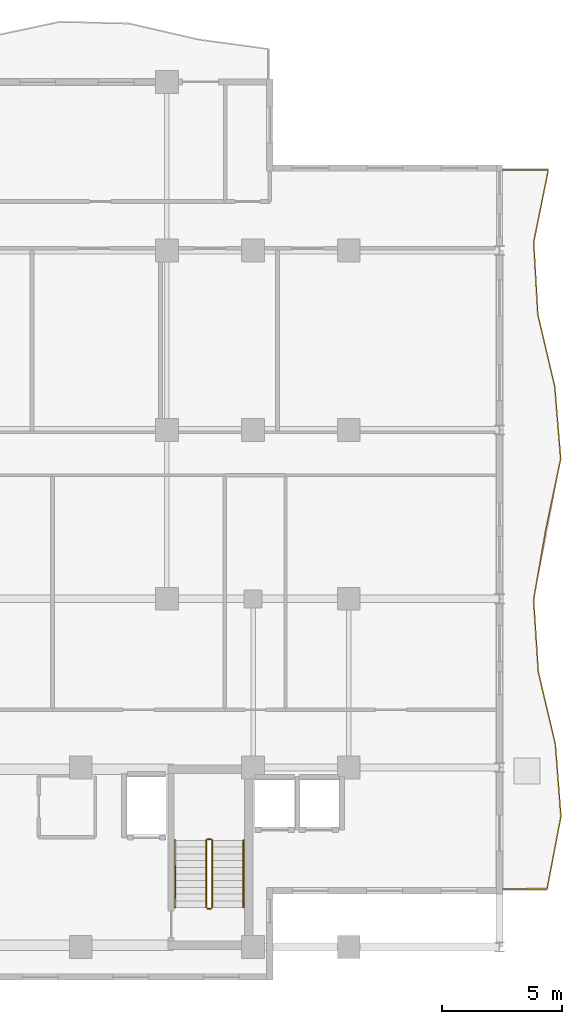
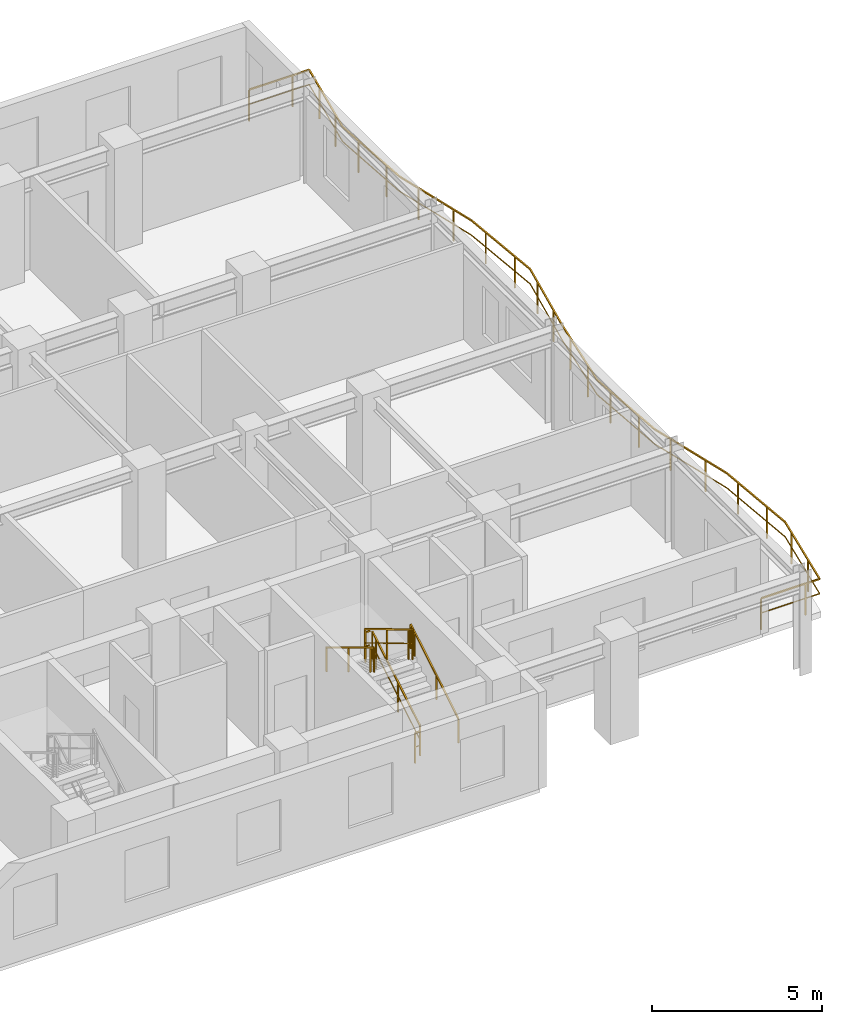
# One storey, part 12 of 13: 7 railings.
"""IFC4 building model written with IfcOpenShell, lengths in metres."""

from ifc_helpers import new_model, si_unit, direction, frame, origin, origin_2d, place, context, subcontext, project, spatial, rectangle, extrude, material, type_object, element, save


model = new_model("IFC4")

# Units and contexts
model_context = context("Model", 3, precision=1e-05, world=origin(), true_north=direction((0.0, 1.0)))
body_context = subcontext(model_context, "Body", "Model", "MODEL_VIEW")
ifc_project = project(units=[si_unit("LENGTHUNIT", "METRE"), si_unit("AREAUNIT", "SQUARE_METRE"), si_unit("VOLUMEUNIT", "CUBIC_METRE"), si_unit("PLANEANGLEUNIT", "RADIAN"), si_unit("MASSUNIT", "GRAM", prefix="KILO")], contexts=[model_context])

# Site, building, storey
site_placement = place(None, origin())
site = spatial("IfcSite", under=ifc_project, at=site_placement, CompositionType="ELEMENT")
building_placement = place(site_placement, origin())
building = spatial("IfcBuilding", under=site, at=building_placement, Name="Kaliganga Portal Commons", CompositionType="ELEMENT")
storey_placement = place(building_placement, frame((0.0, 0.0, 224.0)))
storey = spatial("IfcBuildingStorey", under=building, at=storey_placement, Name="L57", CompositionType="ELEMENT", Elevation=224.0)

# Railings
ifc_material_1 = material(Name="Laminated Safety Glass and Stainless Steel 316", Category="steel")
railing_type_1 = type_object("IfcRailingType", Name="RLG-BAL-1150", PredefinedType="BALUSTRADE", material=ifc_material_1)
railing_1_placement = place(storey_placement, frame((60.708984375, 9.4794921875, 0.0)))
element("IfcRailing", 1, at=railing_1_placement, inside=storey, type_object=railing_type_1, Name="Balcony Guardrail L57 balc_east", PredefinedType="BALUSTRADE", context=body_context, shape_type="SweptSolid", body=[
    extrude(rectangle(XDim=0.048095703125, YDim=0.048095703125, at=origin_2d()), frame((0.0, 0.0, 1.1259765625), z_axis=(0.999999969607, 0.000246548316, 0.0), x_axis=(-0.000246548316, 0.999999969607, 0.0)), (0.0, 0.0, 1.0), 1.98046875),
    extrude(rectangle(XDim=0.028076171875, YDim=0.028076171875, at=origin_2d()), frame((0.0, 0.0, 0.597900390625), z_axis=(0.999999969607, 0.000246548316, 0.0), x_axis=(-0.000246548316, 0.999999969607, 0.0)), (0.0, 0.0, 1.0), 1.98046875),
    extrude(rectangle(XDim=0.048095703125, YDim=0.048095703125, at=origin_2d()), frame((1.98046875, 0.00048828125, 1.1259765625), z_axis=(0.187495259421, 0.98226550774, 0.0), x_axis=(-0.98226550774, 0.187495259421, 0.0)), (0.0, 0.0, 1.0), 3.07421875),
    extrude(rectangle(XDim=0.028076171875, YDim=0.028076171875, at=origin_2d()), frame((1.98046875, 0.00048828125, 0.597900390625), z_axis=(0.187495259421, 0.98226550774, 0.0), x_axis=(-0.98226550774, 0.187495259421, 0.0)), (0.0, 0.0, 1.0), 3.07421875),
    extrude(rectangle(XDim=0.048095703125, YDim=0.048095703125, at=origin_2d()), frame((2.556884765625, 3.020263671875, 1.1259765625), z_axis=(-0.076252687559, 0.997088525478, 0.0), x_axis=(-0.997088525478, -0.076252687559, 0.0)), (0.0, 0.0, 1.0), 3.02880859375),
    extrude(rectangle(XDim=0.028076171875, YDim=0.028076171875, at=origin_2d()), frame((2.556884765625, 3.020263671875, 0.597900390625), z_axis=(-0.076252687559, 0.997088525478, 0.0), x_axis=(-0.997088525478, -0.076252687559, 0.0)), (0.0, 0.0, 1.0), 3.02880859375),
    extrude(rectangle(XDim=0.048095703125, YDim=0.048095703125, at=origin_2d()), frame((2.325927734375, 6.040283203125, 1.1259765625), z_axis=(-0.229797858528, 0.973238379954, 0.0), x_axis=(-0.973238379954, -0.229797858528, 0.0)), (0.0, 0.0, 1.0), 3.103271484375),
    extrude(rectangle(XDim=0.028076171875, YDim=0.028076171875, at=origin_2d()), frame((2.325927734375, 6.040283203125, 0.597900390625), z_axis=(-0.229797858528, 0.973238379954, 0.0), x_axis=(-0.973238379954, -0.229797858528, 0.0)), (0.0, 0.0, 1.0), 3.103271484375),
    extrude(rectangle(XDim=0.048095703125, YDim=0.048095703125, at=origin_2d()), frame((1.61279296875, 9.060546875, 1.1259765625), z_axis=(-0.064864326147, 0.997894092173, 0.0), x_axis=(-0.997894092173, -0.064864326147, 0.0)), (0.0, 0.0, 1.0), 3.026123046875),
    extrude(rectangle(XDim=0.028076171875, YDim=0.028076171875, at=origin_2d()), frame((1.61279296875, 9.060546875, 0.597900390625), z_axis=(-0.064864326147, 0.997894092173, 0.0), x_axis=(-0.997894092173, -0.064864326147, 0.0)), (0.0, 0.0, 1.0), 3.026123046875),
    extrude(rectangle(XDim=0.048095703125, YDim=0.048095703125, at=origin_2d()), frame((1.41650390625, 12.080322265625, 1.1259765625), z_axis=(0.171227240771, 0.985231562638, 0.0), x_axis=(-0.985231562638, 0.171227240771, 0.0)), (0.0, 0.0, 1.0), 2.984375),
    extrude(rectangle(XDim=0.028076171875, YDim=0.028076171875, at=origin_2d()), frame((1.41650390625, 12.080322265625, 0.597900390625), z_axis=(0.171227240771, 0.985231562638, 0.0), x_axis=(-0.985231562638, 0.171227240771, 0.0)), (0.0, 0.0, 1.0), 2.984375),
    extrude(rectangle(XDim=0.048095703125, YDim=0.048095703125, at=origin_2d()), frame((1.927490234375, 15.0205078125, 1.1259765625), z_axis=(0.206002299735, 0.978551507333, 0.0), x_axis=(-0.978551507333, 0.206002299735, 0.0)), (0.0, 0.0, 1.0), 3.0078125),
    extrude(rectangle(XDim=0.028076171875, YDim=0.028076171875, at=origin_2d()), frame((1.927490234375, 15.0205078125, 0.597900390625), z_axis=(0.206002299735, 0.978551507333, 0.0), x_axis=(-0.978551507333, 0.206002299735, 0.0)), (0.0, 0.0, 1.0), 3.0078125),
    extrude(rectangle(XDim=0.048095703125, YDim=0.048095703125, at=origin_2d()), frame((2.547119140625, 17.9638671875, 1.1259765625), z_axis=(-0.080895995771, 0.996722548089, 0.0), x_axis=(-0.996722548089, -0.080895995771, 0.0)), (0.0, 0.0, 1.0), 3.027099609375),
    extrude(rectangle(XDim=0.028076171875, YDim=0.028076171875, at=origin_2d()), frame((2.547119140625, 17.9638671875, 0.597900390625), z_axis=(-0.080895995771, 0.996722548089, 0.0), x_axis=(-0.996722548089, -0.080895995771, 0.0)), (0.0, 0.0, 1.0), 3.027099609375),
    extrude(rectangle(XDim=0.048095703125, YDim=0.048095703125, at=origin_2d()), frame((2.30224609375, 20.98095703125, 1.1259765625), z_axis=(-0.228806813317, 0.973471849711, 0.0), x_axis=(-0.973471849711, -0.228806813317, 0.0)), (0.0, 0.0, 1.0), 3.101806640625),
    extrude(rectangle(XDim=0.028076171875, YDim=0.028076171875, at=origin_2d()), frame((2.30224609375, 20.98095703125, 0.597900390625), z_axis=(-0.228806813317, 0.973471849711, 0.0), x_axis=(-0.973471849711, -0.228806813317, 0.0)), (0.0, 0.0, 1.0), 3.101806640625),
    extrude(rectangle(XDim=0.048095703125, YDim=0.048095703125, at=origin_2d()), frame((1.592529296875, 24.00048828125, 1.1259765625), z_axis=(-0.056900388168, 0.998379860487, 0.0), x_axis=(-0.998379860487, -0.056900388168, 0.0)), (0.0, 0.0, 1.0), 3.02490234375),
    extrude(rectangle(XDim=0.028076171875, YDim=0.028076171875, at=origin_2d()), frame((1.592529296875, 24.00048828125, 0.597900390625), z_axis=(-0.056900388168, 0.998379860487, 0.0), x_axis=(-0.998379860487, -0.056900388168, 0.0)), (0.0, 0.0, 1.0), 3.02490234375),
    extrude(rectangle(XDim=0.048095703125, YDim=0.048095703125, at=origin_2d()), frame((1.42041015625, 27.0205078125, 1.1259765625), z_axis=(0.198172829343, 0.98016709275, 0.0), x_axis=(-0.98016709275, 0.198172829343, 0.0)), (0.0, 0.0, 1.0), 3.0810546875),
    extrude(rectangle(XDim=0.028076171875, YDim=0.028076171875, at=origin_2d()), frame((1.42041015625, 27.0205078125, 0.597900390625), z_axis=(0.198172829343, 0.98016709275, 0.0), x_axis=(-0.98016709275, 0.198172829343, 0.0)), (0.0, 0.0, 1.0), 3.0810546875),
    extrude(rectangle(XDim=0.048095703125, YDim=0.048095703125, at=origin_2d()), frame((2.031005859375, 30.04052734375, 1.1259765625), z_axis=(-0.999999971101, 0.000240413504, 0.0), x_axis=(-0.000240413504, -0.999999971101, 0.0)), (0.0, 0.0, 1.0), 2.031005859375),
    extrude(rectangle(XDim=0.028076171875, YDim=0.028076171875, at=origin_2d()), frame((2.031005859375, 30.04052734375, 0.597900390625), z_axis=(-0.999999971101, 0.000240413504, 0.0), x_axis=(-0.000240413504, -0.999999971101, 0.0)), (0.0, 0.0, 1.0), 2.031005859375),
    extrude(rectangle(XDim=0.0419921875, YDim=0.0419921875, at=origin_2d()), origin(), (0.0, 0.0, 1.0), 1.101806640625),
    extrude(rectangle(XDim=0.0419921875, YDim=0.0419921875, at=origin_2d()), frame((1.5, 0.00048828125, 0.0)), (0.0, 0.0, 1.0), 1.101806640625),
    extrude(rectangle(XDim=0.0419921875, YDim=0.0419921875, at=origin_2d()), frame((2.171630859375, 1.001953125, 0.0)), (0.0, 0.0, 1.0), 1.101806640625),
    extrude(rectangle(XDim=0.0419921875, YDim=0.0419921875, at=origin_2d()), frame((2.452880859375, 2.475341796875, 0.0)), (0.0, 0.0, 1.0), 1.101806640625),
    extrude(rectangle(XDim=0.0419921875, YDim=0.0419921875, at=origin_2d()), frame((2.48486328125, 3.962646484375, 0.0)), (0.0, 0.0, 1.0), 1.101806640625),
    extrude(rectangle(XDim=0.0419921875, YDim=0.0419921875, at=origin_2d()), frame((2.370361328125, 5.45849609375, 0.0)), (0.0, 0.0, 1.0), 1.101806640625),
    extrude(rectangle(XDim=0.0419921875, YDim=0.0419921875, at=origin_2d()), frame((2.115234375, 6.93212890625, 0.0)), (0.0, 0.0, 1.0), 1.101806640625),
    extrude(rectangle(XDim=0.0419921875, YDim=0.0419921875, at=origin_2d()), frame((1.770751953125, 8.39208984375, 0.0)), (0.0, 0.0, 1.0), 1.101806640625),
    extrude(rectangle(XDim=0.0419921875, YDim=0.0419921875, at=origin_2d()), frame((1.56005859375, 9.871826171875, 0.0)), (0.0, 0.0, 1.0), 1.101806640625),
    extrude(rectangle(XDim=0.0419921875, YDim=0.0419921875, at=origin_2d()), frame((1.462646484375, 11.36865234375, 0.0)), (0.0, 0.0, 1.0), 1.101806640625),
    extrude(rectangle(XDim=0.0419921875, YDim=0.0419921875, at=origin_2d()), frame((1.55126953125, 12.855712890625, 0.0)), (0.0, 0.0, 1.0), 1.101806640625),
    extrude(rectangle(XDim=0.0419921875, YDim=0.0419921875, at=origin_2d()), frame((1.80810546875, 14.33349609375, 0.0)), (0.0, 0.0, 1.0), 1.101806640625),
    extrude(rectangle(XDim=0.0419921875, YDim=0.0419921875, at=origin_2d()), frame((2.0927734375, 15.805908203125, 0.0)), (0.0, 0.0, 1.0), 1.101806640625),
    extrude(rectangle(XDim=0.0419921875, YDim=0.0419921875, at=origin_2d()), frame((2.40185546875, 17.273681640625, 0.0)), (0.0, 0.0, 1.0), 1.101806640625),
    extrude(rectangle(XDim=0.0419921875, YDim=0.0419921875, at=origin_2d()), frame((2.48291015625, 18.756103515625, 0.0)), (0.0, 0.0, 1.0), 1.101806640625),
    extrude(rectangle(XDim=0.0419921875, YDim=0.0419921875, at=origin_2d()), frame((2.361572265625, 20.251220703125, 0.0)), (0.0, 0.0, 1.0), 1.101806640625),
    extrude(rectangle(XDim=0.0419921875, YDim=0.0419921875, at=origin_2d()), frame((2.12646484375, 21.728271484375, 0.0)), (0.0, 0.0, 1.0), 1.101806640625),
    extrude(rectangle(XDim=0.0419921875, YDim=0.0419921875, at=origin_2d()), frame((1.783447265625, 23.1884765625, 0.0)), (0.0, 0.0, 1.0), 1.101806640625),
    extrude(rectangle(XDim=0.0419921875, YDim=0.0419921875, at=origin_2d()), frame((1.5546875, 24.665283203125, 0.0)), (0.0, 0.0, 1.0), 1.101806640625),
    extrude(rectangle(XDim=0.0419921875, YDim=0.0419921875, at=origin_2d()), frame((1.46923828125, 26.162841796875, 0.0)), (0.0, 0.0, 1.0), 1.101806640625),
    extrude(rectangle(XDim=0.0419921875, YDim=0.0419921875, at=origin_2d()), frame((1.54736328125, 27.64892578125, 0.0)), (0.0, 0.0, 1.0), 1.101806640625),
    extrude(rectangle(XDim=0.0419921875, YDim=0.0419921875, at=origin_2d()), frame((1.8447265625, 29.119140625, 0.0)), (0.0, 0.0, 1.0), 1.101806640625),
    extrude(rectangle(XDim=0.0419921875, YDim=0.0419921875, at=origin_2d()), frame((1.47119140625, 30.040771484375, 0.0)), (0.0, 0.0, 1.0), 1.101806640625),
    extrude(rectangle(XDim=0.0419921875, YDim=0.0419921875, at=origin_2d()), frame((0.0, 30.041015625, 0.0)), (0.0, 0.0, 1.0), 1.101806640625),
])
ifc_material_2 = material(Name="Galvanized Painted Steel Balustrade", Category="steel")
railing_type_2 = type_object("IfcRailingType", Name="RLG-STAIR-GRD", PredefinedType="GUARDRAIL", material=ifc_material_2)
railing_2_placement = place(storey_placement, frame((48.699951171875, 8.699951171875, 0.168212890625)))
element("IfcRailing", 2, at=railing_2_placement, inside=storey, type_object=railing_type_2, Name="L57 ST-B2 stair guard 1", PredefinedType="GUARDRAIL", context=body_context, shape_type="SweptSolid", body=[
    extrude(rectangle(XDim=0.048095703125, YDim=0.048095703125, at=origin_2d()), frame((0.0, 0.0, 1.072021484375), z_axis=(0.0, 0.857242210791, 0.514913383045), x_axis=(-1.0, 0.0, 0.0)), (0.0, 0.0, 1.0), 3.266357421875),
    extrude(rectangle(XDim=0.028076171875, YDim=0.028076171875, at=origin_2d()), frame((0.0, 0.0, 0.572021484375), z_axis=(0.0, 0.857242210791, 0.514913383045), x_axis=(-1.0, 0.0, 0.0)), (0.0, 0.0, 1.0), 3.266357421875),
    extrude(rectangle(XDim=0.0419921875, YDim=0.0419921875, at=origin_2d()), origin(), (0.0, 0.0, 1.0), 1.052001953125),
    extrude(rectangle(XDim=0.0419921875, YDim=0.0419921875, at=origin_2d()), frame((0.0, 1.285888671875, 0.7724609375)), (0.0, 0.0, 1.0), 1.052001953125),
    extrude(rectangle(XDim=0.0419921875, YDim=0.0419921875, at=origin_2d()), frame((0.0, 2.57177734375, 1.544677734375)), (0.0, 0.0, 1.0), 1.052001953125),
    extrude(rectangle(XDim=0.0419921875, YDim=0.0419921875, at=origin_2d()), frame((0.0, 2.800048828125, 1.681884765625)), (0.0, 0.0, 1.0), 1.052001953125),
])
railing_3_placement = place(storey_placement, frame((48.64990234375, 11.550048828125, 1.85009765625)))
element("IfcRailing", 3, at=railing_3_placement, inside=storey, type_object=railing_type_2, Name="L57 ST-B2 stair guard 2", PredefinedType="GUARDRAIL", context=body_context, shape_type="SweptSolid", body=[
    extrude(rectangle(XDim=0.048095703125, YDim=0.048095703125, at=origin_2d()), frame((0.0, 0.0, 1.076171875), z_axis=(-1.0, 0.0, 0.0), x_axis=(0.0, -1.0, 0.0)), (0.0, 0.0, 1.0), 0.14990234375),
    extrude(rectangle(XDim=0.028076171875, YDim=0.028076171875, at=origin_2d()), frame((0.0, 0.0, 0.572021484375), z_axis=(-1.0, 0.0, 0.0), x_axis=(0.0, -1.0, 0.0)), (0.0, 0.0, 1.0), 0.14990234375),
    extrude(rectangle(XDim=0.0419921875, YDim=0.0419921875, at=origin_2d()), frame((-0.14990234375, 0.0, 0.0)), (0.0, 0.0, 1.0), 1.052001953125),
])
railing_4_placement = place(storey_placement, frame((48.449951171875, 11.5, 2.01806640625)))
element("IfcRailing", 4, at=railing_4_placement, inside=storey, type_object=railing_type_2, Name="L57 ST-B2 stair guard 3", PredefinedType="GUARDRAIL", context=body_context, shape_type="SweptSolid", body=[
    extrude(rectangle(XDim=0.048095703125, YDim=0.048095703125, at=origin_2d()), frame((0.0, 0.0, 1.072021484375), z_axis=(0.0, -0.857242210791, 0.514913383045), x_axis=(1.0, 0.0, 0.0)), (0.0, 0.0, 1.0), 3.266357421875),
    extrude(rectangle(XDim=0.028076171875, YDim=0.028076171875, at=origin_2d()), frame((0.0, 0.0, 0.572021484375), z_axis=(0.0, -0.857242210791, 0.514913383045), x_axis=(1.0, 0.0, 0.0)), (0.0, 0.0, 1.0), 3.266357421875),
    extrude(rectangle(XDim=0.0419921875, YDim=0.0419921875, at=origin_2d()), origin(), (0.0, 0.0, 1.0), 1.052001953125),
    extrude(rectangle(XDim=0.0419921875, YDim=0.0419921875, at=origin_2d()), frame((0.0, -1.285888671875, 0.7724609375)), (0.0, 0.0, 1.0), 1.052001953125),
    extrude(rectangle(XDim=0.0419921875, YDim=0.0419921875, at=origin_2d()), frame((0.0, -2.57177734375, 1.544677734375)), (0.0, 0.0, 1.0), 1.052001953125),
    extrude(rectangle(XDim=0.0419921875, YDim=0.0419921875, at=origin_2d()), frame((0.0, -2.800048828125, 1.681884765625)), (0.0, 0.0, 1.0), 1.052001953125),
])
railing_5_placement = place(storey_placement, frame((48.64990234375, 8.64990234375, 0.0)))
element("IfcRailing", 5, at=railing_5_placement, inside=storey, type_object=railing_type_2, Name="L57 ST-B2 stair guard 4", PredefinedType="GUARDRAIL", context=body_context, shape_type="SweptSolid", body=[
    extrude(rectangle(XDim=0.048095703125, YDim=0.048095703125, at=origin_2d()), frame((0.0, 0.0, 1.076171875), z_axis=(-1.0, 0.0, 0.0), x_axis=(0.0, -1.0, 0.0)), (0.0, 0.0, 1.0), 0.14990234375),
    extrude(rectangle(XDim=0.028076171875, YDim=0.028076171875, at=origin_2d()), frame((0.0, 0.0, 0.572021484375), z_axis=(-1.0, 0.0, 0.0), x_axis=(0.0, -1.0, 0.0)), (0.0, 0.0, 1.0), 0.14990234375),
    extrude(rectangle(XDim=0.0419921875, YDim=0.0419921875, at=origin_2d()), frame((-0.14990234375, 0.0, 0.0)), (0.0, 0.0, 1.0), 1.052001953125),
])
ifc_material_3 = material(Name="Brushed Stainless Steel 316", Category="steel")
railing_type_3 = type_object("IfcRailingType", Name="RLG-STAIR-HR", PredefinedType="HANDRAIL", material=ifc_material_3)
railing_6_placement = place(storey_placement, frame((50.0, 8.699951171875, 0.168212890625)))
element("IfcRailing", 6, at=railing_6_placement, inside=storey, type_object=railing_type_3, Name="L57 ST-B2 stair handrail 1", PredefinedType="HANDRAIL", context=body_context, shape_type="SweptSolid", body=[
    extrude(rectangle(XDim=0.048095703125, YDim=0.048095703125, at=origin_2d()), frame((0.0, 0.0, 0.871826171875), z_axis=(0.0, 0.857242210791, 0.514913383045), x_axis=(-1.0, 0.0, 0.0)), (0.0, 0.0, 1.0), 3.266357421875),
    extrude(rectangle(XDim=0.0419921875, YDim=0.0419921875, at=origin_2d()), origin(), (0.0, 0.0, 1.0), 0.851806640625),
    extrude(rectangle(XDim=0.0419921875, YDim=0.0419921875, at=origin_2d()), frame((0.0, 1.285888671875, 0.7724609375)), (0.0, 0.0, 1.0), 0.851806640625),
    extrude(rectangle(XDim=0.0419921875, YDim=0.0419921875, at=origin_2d()), frame((0.0, 2.57177734375, 1.544677734375)), (0.0, 0.0, 1.0), 0.851806640625),
    extrude(rectangle(XDim=0.0419921875, YDim=0.0419921875, at=origin_2d()), frame((0.0, 2.800048828125, 1.681884765625)), (0.0, 0.0, 1.0), 0.851806640625),
])
railing_7_placement = place(storey_placement, frame((47.14990234375, 11.5, 2.01806640625)))
element("IfcRailing", 7, at=railing_7_placement, inside=storey, type_object=railing_type_3, Name="L57 ST-B2 stair handrail 2", PredefinedType="HANDRAIL", context=body_context, shape_type="SweptSolid", body=[
    extrude(rectangle(XDim=0.048095703125, YDim=0.048095703125, at=origin_2d()), frame((0.0, 0.0, 0.871826171875), z_axis=(0.0, -0.857242210791, 0.514913383045), x_axis=(1.0, 0.0, 0.0)), (0.0, 0.0, 1.0), 3.266357421875),
    extrude(rectangle(XDim=0.0419921875, YDim=0.0419921875, at=origin_2d()), origin(), (0.0, 0.0, 1.0), 0.851806640625),
    extrude(rectangle(XDim=0.0419921875, YDim=0.0419921875, at=origin_2d()), frame((0.0, -1.285888671875, 0.7724609375)), (0.0, 0.0, 1.0), 0.851806640625),
    extrude(rectangle(XDim=0.0419921875, YDim=0.0419921875, at=origin_2d()), frame((0.0, -2.57177734375, 1.544677734375)), (0.0, 0.0, 1.0), 0.851806640625),
    extrude(rectangle(XDim=0.0419921875, YDim=0.0419921875, at=origin_2d()), frame((0.0, -2.800048828125, 1.681884765625)), (0.0, 0.0, 1.0), 0.851806640625),
])

save(model, "model.ifc")
